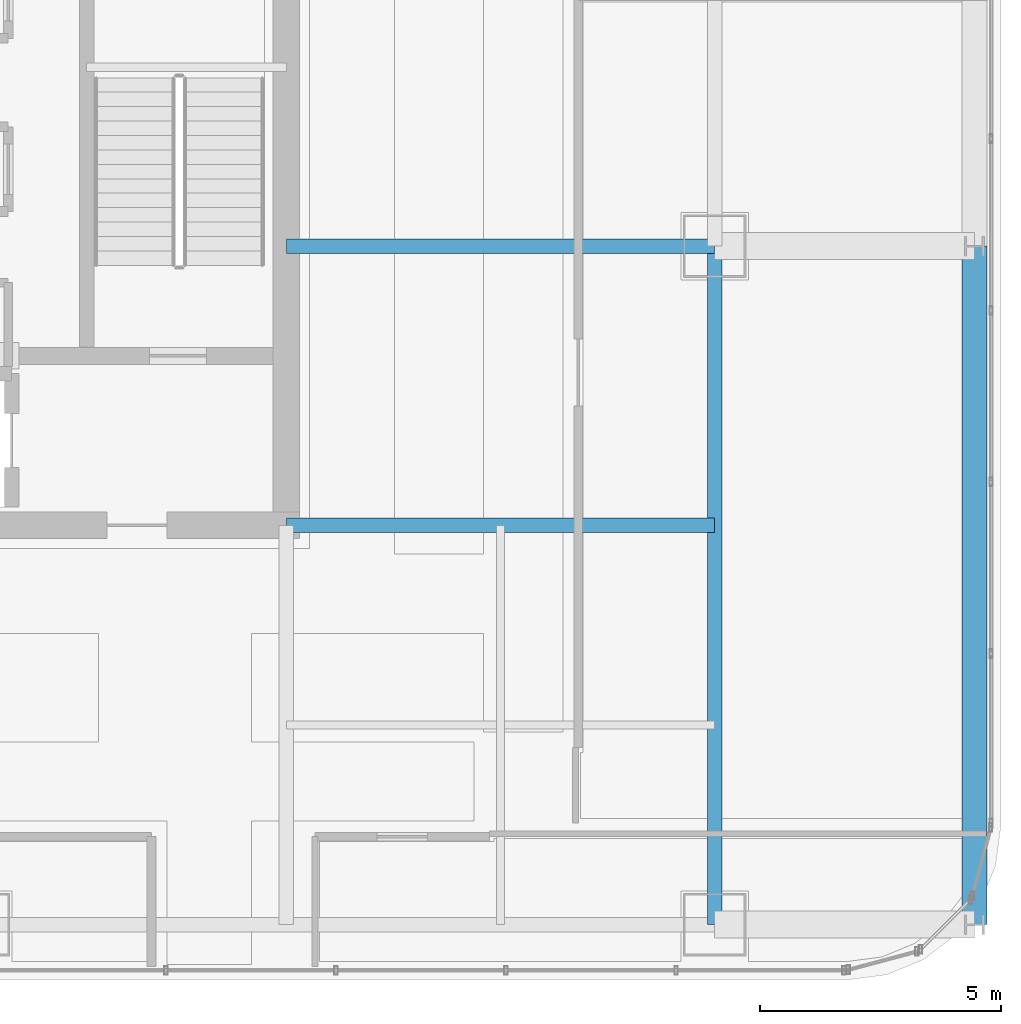
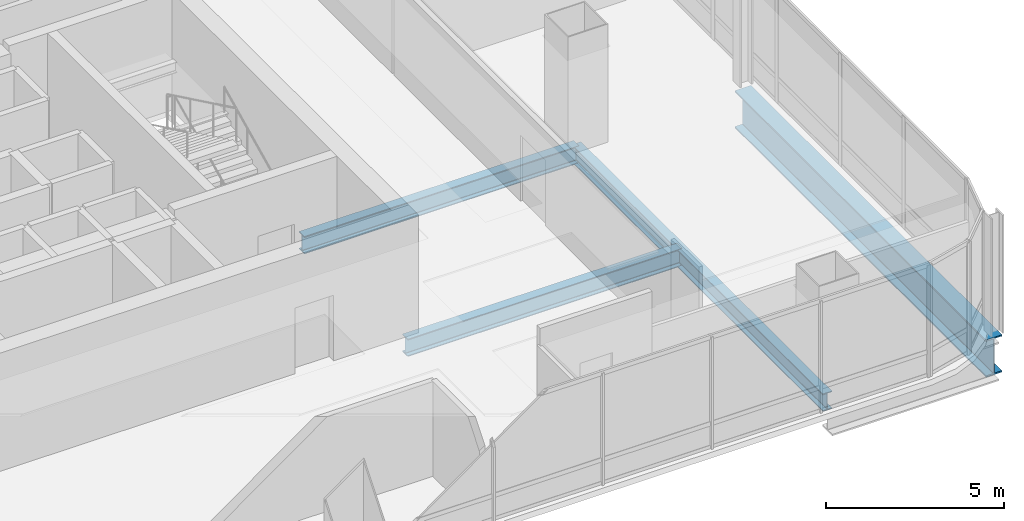
# One storey, part 16 of 40: 4 beams.
"""IFC4 building model written with IfcOpenShell, lengths in metres."""

from ifc_helpers import new_model, si_unit, direction, frame, origin, origin_2d, place, context, subcontext, project, spatial, i_section, extrude, material, material_profile, profile_set, type_object, element, save


model = new_model("IFC4")

# Units and contexts
model_context = context("Model", 3, precision=1e-05, world=origin(), true_north=direction((0.0, 1.0)))
body_context = subcontext(model_context, "Body", "Model", "MODEL_VIEW")
ifc_project = project(units=[si_unit("LENGTHUNIT", "METRE"), si_unit("AREAUNIT", "SQUARE_METRE"), si_unit("VOLUMEUNIT", "CUBIC_METRE"), si_unit("PLANEANGLEUNIT", "RADIAN"), si_unit("MASSUNIT", "GRAM", prefix="KILO")], contexts=[model_context])

# Site, building, storey
site_placement = place(None, origin())
site = spatial("IfcSite", under=ifc_project, at=site_placement, CompositionType="ELEMENT")
building_placement = place(site_placement, origin())
building = spatial("IfcBuilding", under=site, at=building_placement, Name="Punatoya Terracotta Tower", CompositionType="ELEMENT")
storey_placement = place(building_placement, frame((0.0, 0.0, 271.64990234375)))
storey = spatial("IfcBuildingStorey", under=building, at=storey_placement, Name="L64", CompositionType="ELEMENT", Elevation=271.64990234375)

# Beams
ifc_material_1 = material(Name="Steel S355", Category="steel")
ifc_material_profile_1 = material_profile(ifc_material_1, i_section(OverallWidth=0.300048828125, OverallDepth=0.60009765625, WebThickness=0.015380859375, FlangeThickness=0.030029296875, FilletRadius=0.01806640625, at=origin_2d()))
ifc_profile_set_1 = profile_set([ifc_material_profile_1], Name="Steel S355")
beam_type_1 = type_object("IfcBeamType", Name="BM-PRI-600", PredefinedType="BEAM", material=ifc_profile_set_1)
beam_1_placement = place(storey_placement, frame((19.10009765625, -17.5, -0.5), z_axis=(0.0, 1.0, 0.0), x_axis=(-1.0, 0.0, 0.0)))
element("IfcBeam", 1, at=beam_1_placement, inside=storey, type_object=beam_type_1, Name="BM-L64-RG-E1", PredefinedType="BEAM", context=body_context, shape_type="SweptSolid", body=[
    extrude(i_section(OverallWidth=0.300048828125, OverallDepth=0.60009765625, WebThickness=0.015380859375, FlangeThickness=0.030029296875, FilletRadius=0.01806640625, at=origin_2d()), origin(), (0.0, 0.0, 1.0), 14.10009765625),
])
for number, where, z_axis, x_axis, name in (
    (2, (10.199951171875, -9.199951171875, -0.5), (1.0, 0.0, 0.0), (0.0, 1.0, 0.0), "BM-L64-PR-ES"),
    (3, (10.199951171875, -3.39990234375, -0.5), (1.0, 0.0, 0.0), (0.0, 1.0, 0.0), "BM-L64-PR-ED"),
):
    element("IfcBeam", number, at=place(storey_placement, frame(where, z_axis=z_axis, x_axis=x_axis)), inside=storey, type_object=beam_type_1, Name=name, PredefinedType="BEAM", context=body_context, shape_type="SweptSolid", body=[
        extrude(i_section(OverallWidth=0.300048828125, OverallDepth=0.60009765625, WebThickness=0.015380859375, FlangeThickness=0.030029296875, FilletRadius=0.01806640625, at=origin_2d()), origin(), (0.0, 0.0, 1.0), 8.900146484375),
    ])
ifc_material_2 = material(Name="Steel S460", Category="steel")
ifc_material_profile_2 = material_profile(ifc_material_2, i_section(OverallWidth=0.52001953125, OverallDepth=1.280029296875, WebThickness=0.031982421875, FlangeThickness=0.050048828125, FilletRadius=0.01806640625, at=origin_2d()))
ifc_profile_set_2 = profile_set([ifc_material_profile_2], Name="Steel S460")
beam_type_2 = type_object("IfcBeamType", Name="BM-TG-NCK", PredefinedType="BEAM", material=ifc_profile_set_2)
beam_2_placement = place(storey_placement, frame((24.5, -17.5, -0.83984375), z_axis=(0.0, 1.0, 0.0), x_axis=(-1.0, 0.0, 0.0)))
element("IfcBeam", 4, at=beam_2_placement, inside=storey, type_object=beam_type_2, Name="BM-L64-PER-E1", PredefinedType="BEAM", context=body_context, shape_type="SweptSolid", body=[
    extrude(i_section(OverallWidth=0.52001953125, OverallDepth=1.280029296875, WebThickness=0.031982421875, FlangeThickness=0.050048828125, FilletRadius=0.01806640625, at=origin_2d()), origin(), (0.0, 0.0, 1.0), 14.10009765625),
])

save(model, "model.ifc")
